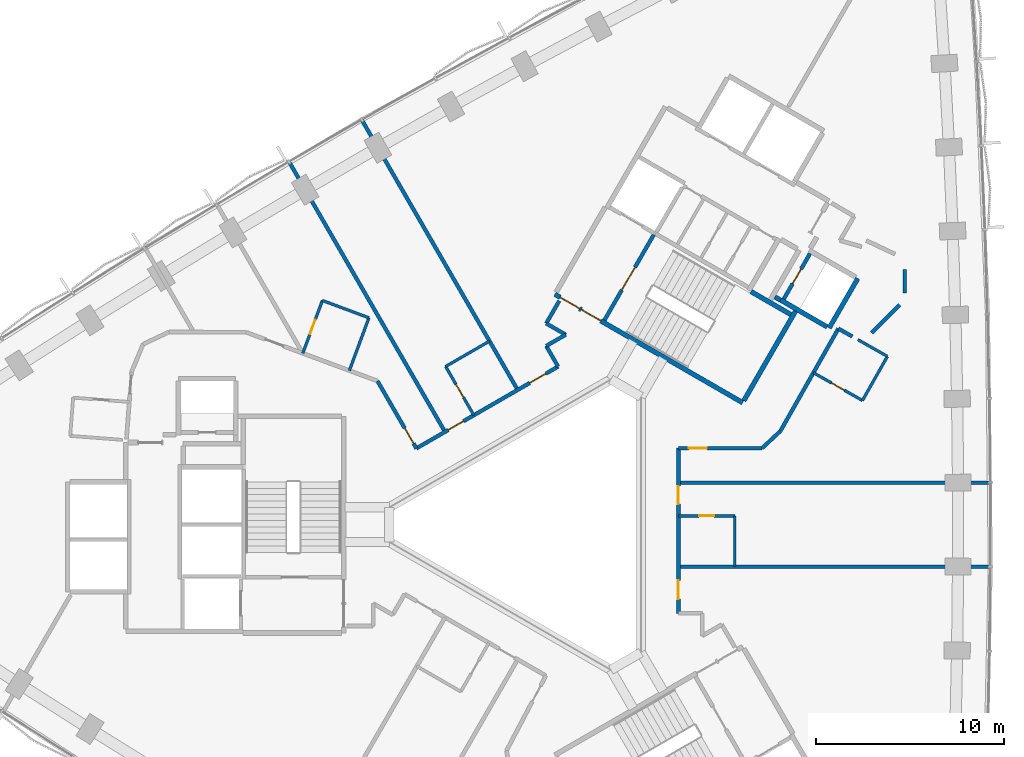
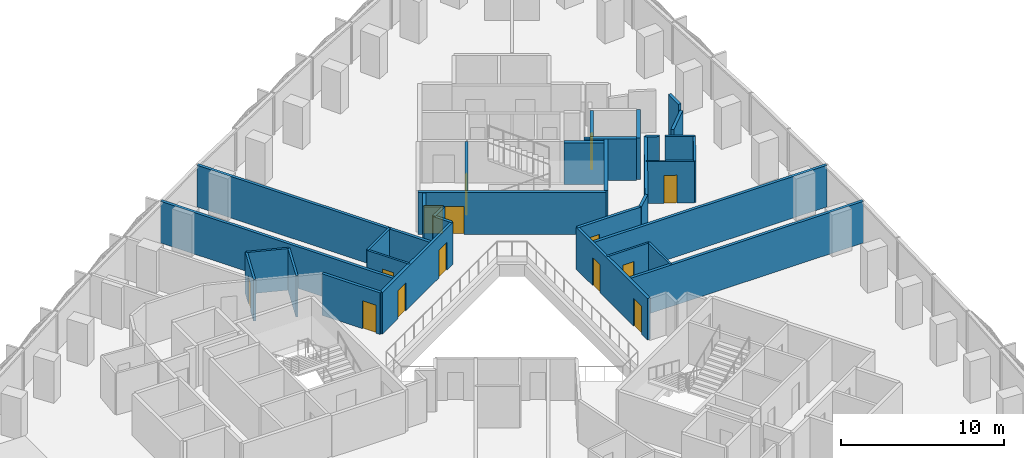
# One storey, part 10 of 15: 35 walls, 14 doors, 14 openings.
"""IFC4 building model written with IfcOpenShell, lengths in metres."""

from ifc_helpers import new_model, si_unit, direction, frame, frame_2d, origin, place, context, subcontext, project, spatial, rectangle, extrude, material, layer, layer_set, type_object, element, fill, save


model = new_model("IFC4")

# Units and contexts
model_context = context("Model", 3, precision=1e-05, world=origin(), true_north=direction((0.0, 1.0)))
body_context = subcontext(model_context, "Body", "Model", "MODEL_VIEW")
ifc_project = project(units=[si_unit("LENGTHUNIT", "METRE"), si_unit("AREAUNIT", "SQUARE_METRE"), si_unit("VOLUMEUNIT", "CUBIC_METRE"), si_unit("PLANEANGLEUNIT", "RADIAN"), si_unit("MASSUNIT", "GRAM", prefix="KILO")], contexts=[model_context])

# Site, building, storey
site_placement = place(None, origin())
site = spatial("IfcSite", under=ifc_project, at=site_placement, CompositionType="ELEMENT")
building_placement = place(site_placement, origin())
building = spatial("IfcBuilding", under=site, at=building_placement, Name="Tamra Quay Hotel Tower", CompositionType="ELEMENT")
storey_placement = place(building_placement, frame((0.0, 0.0, 42.199951171875)))
storey = spatial("IfcBuildingStorey", under=building, at=storey_placement, Name="L08", CompositionType="ELEMENT", Elevation=42.199951171875)

# Wall, opening, door
ifc_material_1 = material(Name="Concrete M70", Category="concrete")
ifc_layer_1 = layer(ifc_material_1, 0.199951171875)
ifc_layer_set_1 = layer_set([ifc_layer_1], Name="Concrete M70 core wall 200")
wall_type_1 = type_object("IfcWallType", Name="Concrete M70 core wall 200", PredefinedType="SHEAR", material=ifc_layer_set_1)
wall_1_placement = place(storey_placement, frame((3.056640625, 10.89453125, 0.0), z_axis=(0.0, 0.0, 1.0), x_axis=(0.499989418164, 0.866031513124, 0.0)))
wall_1 = element("IfcWall", 1, at=wall_1_placement, inside=storey, type_object=wall_type_1, Name="CW2", PredefinedType="SHEAR", context=body_context, shape_type="SweptSolid", body=[
    extrude(rectangle(XDim=5.2509765625, YDim=0.199951171875, at=frame_2d((2.62548828125, 0.0))), origin(), (0.0, 0.0, 1.0), 3.125),
])
opening_1_placement = place(wall_1_placement, frame((1.84912109375, 0.0, 0.0)))
opening_1 = element("IfcOpeningElement", 2, at=opening_1_placement, cuts=wall_1, Name="Opening FD2", PredefinedType="OPENING", context=body_context, shape_type="SweptSolid", body=[
    extrude(rectangle(XDim=1.39990234375, YDim=2.10009765625, at=frame_2d((0.699951171875, 1.050048828125))), frame((0.0, 0.10986328125, 0.0), z_axis=(0.0, -1.0, 0.0), x_axis=(1.0, 0.0, 0.0)), (0.0, 0.0, 1.0), 0.219970703125),
])
ifc_material_2 = material(Name="Core door FD2 1400x2100 LH")
door_type_1 = type_object("IfcDoorType", Name="Core door FD2 1400x2100 LH", OperationType="NOTDEFINED", PredefinedType="DOOR", material=ifc_material_2)
door_1_placement = place(opening_1_placement, origin())
door_1 = element("IfcDoor", 3, at=door_1_placement, inside=storey, type_object=door_type_1, Name="FD2", OperationType="SINGLE_SWING_LEFT", OverallHeight=2.10009765625, OverallWidth=1.39990234375, PredefinedType="DOOR", context=body_context, shape_type="SweptSolid", body=[
    extrude(rectangle(XDim=1.39990234375, YDim=2.10009765625, at=frame_2d((0.699951171875, 1.050048828125))), frame((0.0, 0.02490234375, 0.0), z_axis=(0.0, -1.0, 0.0), x_axis=(1.0, 0.0, 0.0)), (0.0, 0.0, 1.0), 0.050048828125),
])
fill(opening_1, door_1)

wall_2_placement = place(storey_placement, frame((14.0078125, 14.442138671875, 0.0), z_axis=(0.0, 0.0, 1.0), x_axis=(-0.499986818241, -0.866033014143, 0.0)))
wall_2 = element("IfcWall", 4, at=wall_2_placement, inside=storey, type_object=wall_type_1, Name="CW2", PredefinedType="SHEAR", context=body_context, shape_type="SweptSolid", body=[
    extrude(rectangle(XDim=2.7978515625, YDim=0.199951171875, at=frame_2d((1.39892578125, 0.0))), origin(), (0.0, 0.0, 1.0), 3.125),
])
opening_2_placement = place(wall_2_placement, frame((0.948974609375, 0.0, 0.0)))
opening_2 = element("IfcOpeningElement", 5, at=opening_2_placement, cuts=wall_2, Name="Opening D1", PredefinedType="OPENING", context=body_context, shape_type="SweptSolid", body=[
    extrude(rectangle(XDim=0.89990234375, YDim=2.10009765625, at=frame_2d((0.449951171875, 1.050048828125))), frame((0.0, 0.10986328125, 0.0), z_axis=(0.0, -1.0, 0.0), x_axis=(1.0, 0.0, 0.0)), (0.0, 0.0, 1.0), 0.219970703125),
])
ifc_material_3 = material(Name="Core door D1 900x2100 RH")
door_type_2 = type_object("IfcDoorType", Name="Core door D1 900x2100 RH", OperationType="NOTDEFINED", PredefinedType="DOOR", material=ifc_material_3)
door_2_placement = place(opening_2_placement, origin())
door_2 = element("IfcDoor", 6, at=door_2_placement, inside=storey, type_object=door_type_2, Name="D1", OperationType="SINGLE_SWING_RIGHT", OverallHeight=2.10009765625, OverallWidth=0.89990234375, PredefinedType="DOOR", context=body_context, shape_type="SweptSolid", body=[
    extrude(rectangle(XDim=0.89990234375, YDim=2.10009765625, at=frame_2d((0.449951171875, 1.050048828125))), frame((0.0, 0.02490234375, 0.0), z_axis=(0.0, -1.0, 0.0), x_axis=(1.0, 0.0, 0.0)), (0.0, 0.0, 1.0), 0.050048828125),
])
fill(opening_2, door_2)

# Wall, openings, doors
ifc_layer_2 = layer(ifc_material_1, 0.25)
ifc_layer_set_2 = layer_set([ifc_layer_2], Name="Concrete M70 core wall 250")
wall_type_2 = type_object("IfcWallType", Name="Concrete M70 core wall 250", PredefinedType="SHEAR", material=ifc_layer_set_2)
wall_3_placement = place(storey_placement, frame((10.419921875, 6.497802734375, 0.0), z_axis=(0.0, 0.0, 1.0), x_axis=(-0.866021906294, 0.500006057782, 0.0)))
wall_3 = element("IfcWall", 7, at=wall_3_placement, inside=storey, type_object=wall_type_2, Name="CW1", PredefinedType="SHEAR", context=body_context, shape_type="SweptSolid", body=[
    extrude(rectangle(XDim=11.550048828125, YDim=0.25, at=frame_2d((5.77490234375, 0.0))), origin(), (0.0, 0.0, 1.0), 3.125),
])
opening_3_placement = place(wall_3_placement, frame((10.02490234375, 0.0, 0.0)))
opening_3 = element("IfcOpeningElement", 8, at=opening_3_placement, cuts=wall_3, Name="Opening FD1", PredefinedType="OPENING", context=body_context, shape_type="SweptSolid", body=[
    extrude(rectangle(XDim=1.199951171875, YDim=2.10009765625, at=frame_2d((0.60009765625, 1.050048828125))), frame((0.0, 0.135009765625, 0.0), z_axis=(0.0, -1.0, 0.0), x_axis=(1.0, 0.0, 0.0)), (0.0, 0.0, 1.0), 0.27001953125),
])
opening_4_placement = place(wall_3_placement, frame((8.724853515625, 0.0, 0.0)))
opening_4 = element("IfcOpeningElement", 9, at=opening_4_placement, cuts=wall_3, Name="Opening FD1", PredefinedType="OPENING", context=body_context, shape_type="SweptSolid", body=[
    extrude(rectangle(XDim=1.199951171875, YDim=2.10009765625, at=frame_2d((0.60009765625, 1.050048828125))), frame((0.0, 0.135009765625, 0.0), z_axis=(0.0, -1.0, 0.0), x_axis=(1.0, 0.0, 0.0)), (0.0, 0.0, 1.0), 0.27001953125),
])
ifc_material_4 = material(Name="Core door FD1 1200x2100 LH")
door_type_3 = type_object("IfcDoorType", Name="Core door FD1 1200x2100 LH", OperationType="NOTDEFINED", PredefinedType="DOOR", material=ifc_material_4)
door_3_placement = place(opening_3_placement, origin())
door_3 = element("IfcDoor", 10, at=door_3_placement, inside=storey, type_object=door_type_3, Name="FD1", OperationType="SINGLE_SWING_LEFT", OverallHeight=2.10009765625, OverallWidth=1.199951171875, PredefinedType="DOOR", context=body_context, shape_type="SweptSolid", body=[
    extrude(rectangle(XDim=1.199951171875, YDim=2.10009765625, at=frame_2d((0.60009765625, 1.050048828125))), frame((0.0, 0.02490234375, 0.0), z_axis=(0.0, -1.0, 0.0), x_axis=(1.0, 0.0, 0.0)), (0.0, 0.0, 1.0), 0.050048828125),
])
fill(opening_3, door_3)
ifc_material_5 = material(Name="Core door FD1 1200x2100 RH")
door_type_4 = type_object("IfcDoorType", Name="Core door FD1 1200x2100 RH", OperationType="NOTDEFINED", PredefinedType="DOOR", material=ifc_material_5)
door_4_placement = place(opening_4_placement, origin())
door_4 = element("IfcDoor", 11, at=door_4_placement, inside=storey, type_object=door_type_4, Name="FD1", OperationType="SINGLE_SWING_RIGHT", OverallHeight=2.10009765625, OverallWidth=1.199951171875, PredefinedType="DOOR", context=body_context, shape_type="SweptSolid", body=[
    extrude(rectangle(XDim=1.199951171875, YDim=2.10009765625, at=frame_2d((0.60009765625, 1.050048828125))), frame((0.0, 0.02490234375, 0.0), z_axis=(0.0, -1.0, 0.0), x_axis=(1.0, 0.0, 0.0)), (0.0, 0.0, 1.0), 0.050048828125),
])
fill(opening_4, door_4)

# Walls
wall_4_placement = place(storey_placement, frame((13.237548828125, 11.3779296875, 0.0), z_axis=(0.0, 0.0, 1.0), x_axis=(-0.500008851346, -0.866020293397, 0.0)))
element("IfcWall", 12, at=wall_4_placement, inside=storey, type_object=wall_type_2, Name="CW1", PredefinedType="SHEAR", context=body_context, shape_type="SweptSolid", body=[
    extrude(rectangle(XDim=5.509765625, YDim=0.25, at=frame_2d((2.7548828125, 0.0))), origin(), (0.0, 0.0, 1.0), 3.125),
])
wall_5_placement = place(storey_placement, frame((16.552001953125, 13.118896484375, 0.0), z_axis=(0.0, 0.0, 1.0), x_axis=(-0.499978833458, -0.866037623948, 0.0)))
element("IfcWall", 13, at=wall_5_placement, inside=storey, type_object=wall_type_2, Name="CW1", PredefinedType="SHEAR", context=body_context, shape_type="SweptSolid", body=[
    extrude(rectangle(XDim=3.050048828125, YDim=0.25, at=frame_2d((1.52490234375, 0.0))), origin(), (0.0, 0.0, 1.0), 3.125),
])
wall_6_placement = place(storey_placement, frame((14.91845703125, 10.540283203125, 0.0), z_axis=(0.0, 0.0, 1.0), x_axis=(-0.866063538972, 0.499933942099, 0.0)))
element("IfcWall", 14, at=wall_6_placement, inside=storey, type_object=wall_type_2, Name="CW1", PredefinedType="SHEAR", context=body_context, shape_type="SweptSolid", body=[
    extrude(rectangle(XDim=2.86474609375, YDim=0.25, at=frame_2d((1.432373046875, 0.0))), origin(), (0.0, 0.0, 1.0), 3.125),
])
wall_7_placement = place(storey_placement, frame((10.865234375, 12.41845703125, 0.0), z_axis=(0.0, 0.0, 1.0), x_axis=(0.866026229868, -0.499998569178, 0.0)))
element("IfcWall", 15, at=wall_7_placement, inside=storey, type_object=wall_type_2, Name="CW1", PredefinedType="SHEAR", context=body_context, shape_type="SweptSolid", body=[
    extrude(rectangle(XDim=2.44921875, YDim=0.25, at=frame_2d((1.224609375, 0.0))), origin(), (0.0, 0.0, 1.0), 3.125),
])
wall_8_placement = place(storey_placement, frame((12.4326171875, 11.9638671875, 0.0), z_axis=(0.0, 0.0, 1.0), x_axis=(-0.866055875208, 0.499947218231, 0.0)))
element("IfcWall", 16, at=wall_8_placement, inside=storey, type_object=wall_type_2, Name="CW1", PredefinedType="SHEAR", context=body_context, shape_type="SweptSolid", body=[
    extrude(rectangle(XDim=0.3447265625, YDim=0.25, at=frame_2d((0.17236328125, 0.0))), origin(), (0.0, 0.0, 1.0), 3.125),
])

# Wall, opening, door
ifc_material_6 = material(Name="Partition corridor wall")
ifc_layer_3 = layer(ifc_material_6, 0.199951171875)
ifc_layer_set_3 = layer_set([ifc_layer_3], Name="Partition corridor wall")
wall_type_3 = type_object("IfcWallType", Name="Partition corridor wall", PredefinedType="PARTITIONING", material=ifc_layer_set_3)
wall_9_placement = place(storey_placement, frame((-9.032958984375, 7.652099609375, 0.0), z_axis=(0.0, 0.0, 1.0), x_axis=(0.500074377092, -0.865982457891, 0.0)))
wall_9 = element("IfcWall", 17, at=wall_9_placement, inside=storey, type_object=wall_type_3, Name="W-C", PredefinedType="PARTITIONING", context=body_context, shape_type="SweptSolid", body=[
    extrude(rectangle(XDim=4.143310546875, YDim=0.199951171875, at=frame_2d((2.07177734375, 0.0))), origin(), (0.0, 0.0, 1.0), 3.125),
])
opening_5_placement = place(wall_9_placement, frame((2.895263671875, 0.0, 0.0)))
opening_5 = element("IfcOpeningElement", 18, at=opening_5_placement, cuts=wall_9, Name="Opening L08-D009", PredefinedType="OPENING", context=body_context, shape_type="SweptSolid", body=[
    extrude(rectangle(XDim=0.949951171875, YDim=2.10009765625, at=frame_2d((0.47509765625, 1.050048828125))), frame((0.0, 0.10986328125, 0.0), z_axis=(0.0, -1.0, 0.0), x_axis=(1.0, 0.0, 0.0)), (0.0, 0.0, 1.0), 0.219970703125),
])
ifc_material_7 = material(Name="Door guest room 950x2100")
door_type_5 = type_object("IfcDoorType", Name="Door guest room 950x2100", OperationType="NOTDEFINED", PredefinedType="DOOR", material=ifc_material_7)
door_5_placement = place(opening_5_placement, frame((0.949951171875, 0.0, 0.0), z_axis=(0.0, 0.0, 1.0), x_axis=(-1.0, 0.0, 0.0)))
door_5 = element("IfcDoor", 19, at=door_5_placement, inside=storey, type_object=door_type_5, Name="L08-D009", OperationType="SINGLE_SWING_LEFT", OverallHeight=2.10009765625, OverallWidth=0.949951171875, PredefinedType="DOOR", context=body_context, shape_type="SweptSolid", body=[
    extrude(rectangle(XDim=0.949951171875, YDim=2.10009765625, at=frame_2d((0.47509765625, 1.050048828125))), frame((0.0, 0.02490234375, 0.0), z_axis=(0.0, -1.0, 0.0), x_axis=(1.0, 0.0, 0.0)), (0.0, 0.0, 1.0), 0.050048828125),
])
fill(opening_5, door_5)

# Wall, openings, doors
wall_10_placement = place(storey_placement, frame((-6.961669921875, 4.06494140625, 0.0), z_axis=(0.0, 0.0, 1.0), x_axis=(0.866089531713, 0.499888910716, 0.0)))
wall_10 = element("IfcWall", 20, at=wall_10_placement, inside=storey, type_object=wall_type_3, Name="W-C", PredefinedType="PARTITIONING", context=body_context, shape_type="SweptSolid", body=[
    extrude(rectangle(XDim=8.71826171875, YDim=0.199951171875, at=frame_2d((4.359130859375, 0.0))), origin(), (0.0, 0.0, 1.0), 3.125),
])
opening_6_placement = place(wall_10_placement, frame((6.96875, 0.0, 0.0)))
opening_6 = element("IfcOpeningElement", 21, at=opening_6_placement, cuts=wall_10, Name="Opening L08-D006", PredefinedType="OPENING", context=body_context, shape_type="SweptSolid", body=[
    extrude(rectangle(XDim=1.0, YDim=2.10009765625, at=frame_2d((0.5, 1.050048828125))), frame((0.0, 0.10986328125, 0.0), z_axis=(0.0, -1.0, 0.0), x_axis=(1.0, 0.0, 0.0)), (0.0, 0.0, 1.0), 0.219970703125),
])
opening_7_placement = place(wall_10_placement, frame((1.949462890625, 0.0, 0.0)))
opening_7 = element("IfcOpeningElement", 22, at=opening_7_placement, cuts=wall_10, Name="Opening L08-D007", PredefinedType="OPENING", context=body_context, shape_type="SweptSolid", body=[
    extrude(rectangle(XDim=0.949951171875, YDim=2.10009765625, at=frame_2d((0.47509765625, 1.050048828125))), frame((0.0, 0.10986328125, 0.0), z_axis=(0.0, -1.0, 0.0), x_axis=(1.0, 0.0, 0.0)), (0.0, 0.0, 1.0), 0.219970703125),
])
ifc_material_8 = material(Name="Door guest room 1000x2100")
door_type_6 = type_object("IfcDoorType", Name="Door guest room 1000x2100", OperationType="NOTDEFINED", PredefinedType="DOOR", material=ifc_material_8)
door_6_placement = place(opening_6_placement, origin())
door_6 = element("IfcDoor", 23, at=door_6_placement, inside=storey, type_object=door_type_6, Name="L08-D006", OperationType="SINGLE_SWING_LEFT", OverallHeight=2.10009765625, OverallWidth=1.0, PredefinedType="DOOR", context=body_context, shape_type="SweptSolid", body=[
    extrude(rectangle(XDim=1.0, YDim=2.10009765625, at=frame_2d((0.5, 1.050048828125))), frame((0.0, 0.02490234375, 0.0), z_axis=(0.0, -1.0, 0.0), x_axis=(1.0, 0.0, 0.0)), (0.0, 0.0, 1.0), 0.050048828125),
])
fill(opening_6, door_6)
door_7_placement = place(opening_7_placement, origin())
door_7 = element("IfcDoor", 24, at=door_7_placement, inside=storey, type_object=door_type_5, Name="L08-D007", OperationType="SINGLE_SWING_LEFT", OverallHeight=2.10009765625, OverallWidth=0.949951171875, PredefinedType="DOOR", context=body_context, shape_type="SweptSolid", body=[
    extrude(rectangle(XDim=0.949951171875, YDim=2.10009765625, at=frame_2d((0.47509765625, 1.050048828125))), frame((0.0, 0.02490234375, 0.0), z_axis=(0.0, -1.0, 0.0), x_axis=(1.0, 0.0, 0.0)), (0.0, 0.0, 1.0), 0.050048828125),
])
fill(opening_7, door_7)

# Walls
wall_11_placement = place(storey_placement, frame((-0.044921875, 9.52197265625, 0.0), z_axis=(0.0, 0.0, 1.0), x_axis=(0.86625675314, 0.499599076899, 0.0)))
element("IfcWall", 25, at=wall_11_placement, inside=storey, type_object=wall_type_3, Name="W-C", PredefinedType="PARTITIONING", context=body_context, shape_type="SweptSolid", body=[
    extrude(rectangle(XDim=1.19921875, YDim=0.199951171875, at=frame_2d((0.599609375, 0.0))), origin(), (0.0, 0.0, 1.0), 3.125),
])
wall_12_placement = place(storey_placement, frame((-0.044921875, 10.721923828125, 0.0), z_axis=(0.0, 0.0, 1.0), x_axis=(0.500107785535, 0.865963164833, 0.0)))
element("IfcWall", 26, at=wall_12_placement, inside=storey, type_object=wall_type_3, Name="W-C", PredefinedType="PARTITIONING", context=body_context, shape_type="SweptSolid", body=[
    extrude(rectangle(XDim=1.389404296875, YDim=0.199951171875, at=frame_2d((0.69482421875, 0.0))), origin(), (0.0, 0.0, 1.0), 3.125),
])
wall_13_placement = place(storey_placement, frame((-0.044921875, 9.52099609375, 0.0), z_axis=(0.0, 0.0, 1.0), x_axis=(0.500094716449, -0.865970712311, 0.0)))
element("IfcWall", 27, at=wall_13_placement, inside=storey, type_object=wall_type_3, Name="W-C", PredefinedType="PARTITIONING", context=body_context, shape_type="SweptSolid", body=[
    extrude(rectangle(XDim=1.267822265625, YDim=0.199951171875, at=frame_2d((0.6337890625, 0.0))), origin(), (0.0, 0.0, 1.0), 3.125),
])
wall_14_placement = place(storey_placement, frame((-0.044921875, 10.720947265625, 0.0), z_axis=(0.0, 0.0, 1.0), x_axis=(0.865992388649, -0.500057179532, 0.0)))
element("IfcWall", 28, at=wall_14_placement, inside=storey, type_object=wall_type_3, Name="W-C", PredefinedType="PARTITIONING", context=body_context, shape_type="SweptSolid", body=[
    extrude(rectangle(XDim=1.199462890625, YDim=0.199951171875, at=frame_2d((0.599609375, 0.0))), origin(), (0.0, 0.0, 1.0), 3.125),
])

# Wall, openings, doors
wall_15_placement = place(storey_placement, frame((7.0, -4.720947265625, 0.0), z_axis=(0.0, 0.0, 1.0), x_axis=(0.0, 1.0, 0.0)))
wall_15 = element("IfcWall", 29, at=wall_15_placement, inside=storey, type_object=wall_type_3, Name="W-C", PredefinedType="PARTITIONING", context=body_context, shape_type="SweptSolid", body=[
    extrude(rectangle(XDim=8.798828125, YDim=0.199951171875, at=frame_2d((4.3994140625, 0.0))), origin(), (0.0, 0.0, 1.0), 3.125),
])
opening_8_placement = place(wall_15_placement, frame((0.7490234375, 0.0, 0.0)))
opening_8 = element("IfcOpeningElement", 30, at=opening_8_placement, cuts=wall_15, Name="Opening L08-D001", PredefinedType="OPENING", context=body_context, shape_type="SweptSolid", body=[
    extrude(rectangle(XDim=1.0, YDim=2.10009765625, at=frame_2d((0.5, 1.050048828125))), frame((0.0, 0.10986328125, 0.0), z_axis=(0.0, -1.0, 0.0), x_axis=(1.0, 0.0, 0.0)), (0.0, 0.0, 1.0), 0.219970703125),
])
opening_9_placement = place(wall_15_placement, frame((5.818115234375, 0.0, 0.0)))
opening_9 = element("IfcOpeningElement", 31, at=opening_9_placement, cuts=wall_15, Name="Opening L08-D002", PredefinedType="OPENING", context=body_context, shape_type="SweptSolid", body=[
    extrude(rectangle(XDim=0.949951171875, YDim=2.10009765625, at=frame_2d((0.47509765625, 1.050048828125))), frame((0.0, 0.10986328125, 0.0), z_axis=(0.0, -1.0, 0.0), x_axis=(1.0, 0.0, 0.0)), (0.0, 0.0, 1.0), 0.219970703125),
])
door_8_placement = place(opening_8_placement, frame((1.0, 0.0, 0.0), z_axis=(0.0, 0.0, 1.0), x_axis=(-1.0, 0.0, 0.0)))
door_8 = element("IfcDoor", 32, at=door_8_placement, inside=storey, type_object=door_type_6, Name="L08-D001", OperationType="SINGLE_SWING_LEFT", OverallHeight=2.10009765625, OverallWidth=1.0, PredefinedType="DOOR", context=body_context, shape_type="SweptSolid", body=[
    extrude(rectangle(XDim=1.0, YDim=2.10009765625, at=frame_2d((0.5, 1.050048828125))), frame((0.0, 0.02490234375, 0.0), z_axis=(0.0, -1.0, 0.0), x_axis=(1.0, 0.0, 0.0)), (0.0, 0.0, 1.0), 0.050048828125),
])
fill(opening_8, door_8)
door_9_placement = place(opening_9_placement, frame((0.949951171875, 0.0, 0.0), z_axis=(0.0, 0.0, 1.0), x_axis=(-1.0, 0.0, 0.0)))
door_9 = element("IfcDoor", 33, at=door_9_placement, inside=storey, type_object=door_type_5, Name="L08-D002", OperationType="SINGLE_SWING_LEFT", OverallHeight=2.10009765625, OverallWidth=0.949951171875, PredefinedType="DOOR", context=body_context, shape_type="SweptSolid", body=[
    extrude(rectangle(XDim=0.949951171875, YDim=2.10009765625, at=frame_2d((0.47509765625, 1.050048828125))), frame((0.0, 0.02490234375, 0.0), z_axis=(0.0, -1.0, 0.0), x_axis=(1.0, 0.0, 0.0)), (0.0, 0.0, 1.0), 0.050048828125),
])
fill(opening_9, door_9)

# Wall, opening, door
wall_16_placement = place(storey_placement, frame((7.0, 4.077880859375, 0.0), z_axis=(0.0, 0.0, 1.0), x_axis=(1.0, 0.0, 0.0)))
wall_16 = element("IfcWall", 34, at=wall_16_placement, inside=storey, type_object=wall_type_3, Name="W-C", PredefinedType="PARTITIONING", context=body_context, shape_type="SweptSolid", body=[
    extrude(rectangle(XDim=4.4580078125, YDim=0.199951171875, at=frame_2d((2.22900390625, 0.0))), origin(), (0.0, 0.0, 1.0), 3.125),
])
opening_10_placement = place(wall_16_placement, frame((0.55810546875, 0.0, 0.0)))
opening_10 = element("IfcOpeningElement", 35, at=opening_10_placement, cuts=wall_16, Name="Opening L08-D004", PredefinedType="OPENING", context=body_context, shape_type="SweptSolid", body=[
    extrude(rectangle(XDim=0.949951171875, YDim=2.10009765625, at=frame_2d((0.47509765625, 1.050048828125))), frame((0.0, 0.10986328125, 0.0), z_axis=(0.0, -1.0, 0.0), x_axis=(1.0, 0.0, 0.0)), (0.0, 0.0, 1.0), 0.219970703125),
])
door_10_placement = place(opening_10_placement, origin())
door_10 = element("IfcDoor", 36, at=door_10_placement, inside=storey, type_object=door_type_5, Name="L08-D004", OperationType="SINGLE_SWING_LEFT", OverallHeight=2.10009765625, OverallWidth=0.949951171875, PredefinedType="DOOR", context=body_context, shape_type="SweptSolid", body=[
    extrude(rectangle(XDim=0.949951171875, YDim=2.10009765625, at=frame_2d((0.47509765625, 1.050048828125))), frame((0.0, 0.02490234375, 0.0), z_axis=(0.0, -1.0, 0.0), x_axis=(1.0, 0.0, 0.0)), (0.0, 0.0, 1.0), 0.050048828125),
])
fill(opening_10, door_10)

# Walls
wall_17_placement = place(storey_placement, frame((11.4580078125, 4.077880859375, 0.0), z_axis=(0.0, 0.0, 1.0), x_axis=(0.729936032318, 0.683515463412, 0.0)))
element("IfcWall", 37, at=wall_17_placement, inside=storey, type_object=wall_type_3, Name="W-C", PredefinedType="PARTITIONING", context=body_context, shape_type="SweptSolid", body=[
    extrude(rectangle(XDim=1.3359375, YDim=0.199951171875, at=frame_2d((0.66796875, 0.0))), origin(), (0.0, 0.0, 1.0), 3.125),
])
wall_18_placement = place(storey_placement, frame((12.43310546875, 4.991943359375, 0.0), z_axis=(0.0, 0.0, 1.0), x_axis=(0.492575945335, 0.870269462912, 0.0)))
element("IfcWall", 38, at=wall_18_placement, inside=storey, type_object=wall_type_3, Name="W-C", PredefinedType="PARTITIONING", context=body_context, shape_type="SweptSolid", body=[
    extrude(rectangle(XDim=6.264892578125, YDim=0.199951171875, at=frame_2d((3.13232421875, 0.0))), origin(), (0.0, 0.0, 1.0), 3.125),
])
wall_19_placement = place(storey_placement, frame((15.51904296875, 10.444091796875, 0.0), z_axis=(0.0, 0.0, 1.0), x_axis=(0.870222202109, -0.492659435063, 0.0)))
element("IfcWall", 39, at=wall_19_placement, inside=storey, type_object=wall_type_3, Name="W-C", PredefinedType="PARTITIONING", context=body_context, shape_type="SweptSolid", body=[
    extrude(rectangle(XDim=0.854736328125, YDim=0.199951171875, at=frame_2d((0.42724609375, 0.0))), origin(), (0.0, 0.0, 1.0), 3.125),
])
wall_20_placement = place(storey_placement, frame((17.287109375, 10.212890625, 0.0), z_axis=(0.0, 0.0, 1.0), x_axis=(0.706819117262, 0.707394328132, 0.0)))
element("IfcWall", 40, at=wall_20_placement, inside=storey, type_object=wall_type_3, Name="W-C", PredefinedType="PARTITIONING", context=body_context, shape_type="SweptSolid", body=[
    extrude(rectangle(XDim=2.1220703125, YDim=0.199951171875, at=frame_2d((1.06103515625, 0.0))), origin(), (0.0, 0.0, 1.0), 3.125),
])
wall_21_placement = place(storey_placement, frame((19.050048828125, 12.34912109375, 0.0), z_axis=(0.0, 0.0, 1.0), x_axis=(0.0, 1.0, 0.0)))
element("IfcWall", 41, at=wall_21_placement, inside=storey, type_object=wall_type_3, Name="W-C", PredefinedType="PARTITIONING", context=body_context, shape_type="SweptSolid", body=[
    extrude(rectangle(XDim=1.25, YDim=0.199951171875, at=frame_2d((0.625, 0.0))), origin(), (0.0, 0.0, 1.0), 3.125),
])

# Wall, opening, door
ifc_material_9 = material(Name="Partition en-suite wall")
ifc_layer_4 = layer(ifc_material_9, 0.14990234375)
ifc_layer_set_4 = layer_set([ifc_layer_4], Name="Partition en-suite wall")
wall_type_4 = type_object("IfcWallType", Name="Partition en-suite wall", PredefinedType="PARTITIONING", material=ifc_layer_set_4)
wall_22_placement = place(storey_placement, frame((-13.012939453125, 9.12890625, 0.0), z_axis=(0.0, 0.0, 1.0), x_axis=(0.347929104424, 0.937520846859, 0.0)))
wall_22 = element("IfcWall", 42, at=wall_22_placement, inside=storey, type_object=wall_type_4, Name="W-E", PredefinedType="PARTITIONING", context=body_context, shape_type="SweptSolid", body=[
    extrude(rectangle(XDim=3.00048828125, YDim=0.14990234375, at=frame_2d((1.500244140625, 0.0))), origin(), (0.0, 0.0, 1.0), 3.125),
])
opening_11_placement = place(wall_22_placement, frame((1.10009765625, 0.0, 0.0)))
opening_11 = element("IfcOpeningElement", 43, at=opening_11_placement, cuts=wall_22, Name="Opening L08-D010", PredefinedType="OPENING", context=body_context, shape_type="SweptSolid", body=[
    extrude(rectangle(XDim=0.800048828125, YDim=2.10009765625, at=frame_2d((0.39990234375, 1.050048828125))), frame((0.0, 0.0849609375, 0.0), z_axis=(0.0, -1.0, 0.0), x_axis=(1.0, 0.0, 0.0)), (0.0, 0.0, 1.0), 0.169921875),
])
ifc_material_10 = material(Name="Door en-suite 800x2100")
door_type_7 = type_object("IfcDoorType", Name="Door en-suite 800x2100", OperationType="NOTDEFINED", PredefinedType="DOOR", material=ifc_material_10)
door_11_placement = place(opening_11_placement, origin())
door_11 = element("IfcDoor", 44, at=door_11_placement, inside=storey, type_object=door_type_7, Name="L08-D010", OperationType="SINGLE_SWING_LEFT", OverallHeight=2.10009765625, OverallWidth=0.800048828125, PredefinedType="DOOR", context=body_context, shape_type="SweptSolid", body=[
    extrude(rectangle(XDim=0.800048828125, YDim=2.10009765625, at=frame_2d((0.39990234375, 1.050048828125))), frame((0.0, 0.02490234375, 0.0), z_axis=(0.0, -1.0, 0.0), x_axis=(1.0, 0.0, 0.0)), (0.0, 0.0, 1.0), 0.050048828125),
])
fill(opening_11, door_11)

# Walls
wall_23_placement = place(storey_placement, frame((-11.968994140625, 11.94189453125, 0.0), z_axis=(0.0, 0.0, 1.0), x_axis=(0.93745453053, -0.348107746521, 0.0)))
element("IfcWall", 45, at=wall_23_placement, inside=storey, type_object=wall_type_4, Name="W-E", PredefinedType="PARTITIONING", context=body_context, shape_type="SweptSolid", body=[
    extrude(rectangle(XDim=2.6455078125, YDim=0.14990234375, at=frame_2d((1.32275390625, 0.0))), origin(), (0.0, 0.0, 1.0), 3.125),
])
wall_24_placement = place(storey_placement, frame((-10.532958984375, 8.208984375, 0.0), z_axis=(0.0, 0.0, 1.0), x_axis=(0.348035300423, 0.937481428968, 0.0)))
element("IfcWall", 46, at=wall_24_placement, inside=storey, type_object=wall_type_4, Name="W-E", PredefinedType="PARTITIONING", context=body_context, shape_type="SweptSolid", body=[
    extrude(rectangle(XDim=2.99951171875, YDim=0.14990234375, at=frame_2d((1.499755859375, 0.0))), origin(), (0.0, 0.0, 1.0), 3.125),
])
wall_25_placement = place(storey_placement, frame((-5.402099609375, 8.427978515625, 0.0), z_axis=(0.0, 0.0, 1.0), x_axis=(0.86599734893, 0.500048589285, 0.0)))
element("IfcWall", 47, at=wall_25_placement, inside=storey, type_object=wall_type_4, Name="W-E", PredefinedType="PARTITIONING", context=body_context, shape_type="SweptSolid", body=[
    extrude(rectangle(XDim=2.699951171875, YDim=0.14990234375, at=frame_2d((1.35009765625, 0.0))), origin(), (0.0, 0.0, 1.0), 3.125),
])

# Wall, opening, door
wall_26_placement = place(storey_placement, frame((-5.402099609375, 8.427978515625, 0.0), z_axis=(0.0, 0.0, 1.0), x_axis=(0.50002537861, -0.866010750942, 0.0)))
wall_26 = element("IfcWall", 48, at=wall_26_placement, inside=storey, type_object=wall_type_4, Name="W-E", PredefinedType="PARTITIONING", context=body_context, shape_type="SweptSolid", body=[
    extrude(rectangle(XDim=2.999755859375, YDim=0.14990234375, at=frame_2d((1.5, 0.0))), origin(), (0.0, 0.0, 1.0), 3.125),
])
opening_12_placement = place(wall_26_placement, frame((1.099609375, 0.0, 0.0)))
opening_12 = element("IfcOpeningElement", 49, at=opening_12_placement, cuts=wall_26, Name="Opening L08-D008", PredefinedType="OPENING", context=body_context, shape_type="SweptSolid", body=[
    extrude(rectangle(XDim=0.800048828125, YDim=2.10009765625, at=frame_2d((0.39990234375, 1.050048828125))), frame((0.0, 0.0849609375, 0.0), z_axis=(0.0, -1.0, 0.0), x_axis=(1.0, 0.0, 0.0)), (0.0, 0.0, 1.0), 0.169921875),
])
door_12_placement = place(opening_12_placement, origin())
door_12 = element("IfcDoor", 50, at=door_12_placement, inside=storey, type_object=door_type_7, Name="L08-D008", OperationType="SINGLE_SWING_LEFT", OverallHeight=2.10009765625, OverallWidth=0.800048828125, PredefinedType="DOOR", context=body_context, shape_type="SweptSolid", body=[
    extrude(rectangle(XDim=0.800048828125, YDim=2.10009765625, at=frame_2d((0.39990234375, 1.050048828125))), frame((0.0, 0.02490234375, 0.0), z_axis=(0.0, -1.0, 0.0), x_axis=(1.0, 0.0, 0.0)), (0.0, 0.0, 1.0), 0.050048828125),
])
fill(opening_12, door_12)

wall_27_placement = place(storey_placement, frame((7.0, 0.465087890625, 0.0), z_axis=(0.0, 0.0, 1.0), x_axis=(1.0, 0.0, 0.0)))
wall_27 = element("IfcWall", 51, at=wall_27_placement, inside=storey, type_object=wall_type_4, Name="W-E", PredefinedType="PARTITIONING", context=body_context, shape_type="SweptSolid", body=[
    extrude(rectangle(XDim=3.0, YDim=0.14990234375, at=frame_2d((1.5, 0.0))), origin(), (0.0, 0.0, 1.0), 3.125),
])
opening_13_placement = place(wall_27_placement, frame((1.10009765625, 0.0, 0.0)))
opening_13 = element("IfcOpeningElement", 52, at=opening_13_placement, cuts=wall_27, Name="Opening L08-D003", PredefinedType="OPENING", context=body_context, shape_type="SweptSolid", body=[
    extrude(rectangle(XDim=0.800048828125, YDim=2.10009765625, at=frame_2d((0.39990234375, 1.050048828125))), frame((0.0, 0.0849609375, 0.0), z_axis=(0.0, -1.0, 0.0), x_axis=(1.0, 0.0, 0.0)), (0.0, 0.0, 1.0), 0.169921875),
])
door_13_placement = place(opening_13_placement, frame((0.800048828125, 0.0, 0.0), z_axis=(0.0, 0.0, 1.0), x_axis=(-1.0, 0.0, 0.0)))
door_13 = element("IfcDoor", 53, at=door_13_placement, inside=storey, type_object=door_type_7, Name="L08-D003", OperationType="SINGLE_SWING_LEFT", OverallHeight=2.10009765625, OverallWidth=0.800048828125, PredefinedType="DOOR", context=body_context, shape_type="SweptSolid", body=[
    extrude(rectangle(XDim=0.800048828125, YDim=2.10009765625, at=frame_2d((0.39990234375, 1.050048828125))), frame((0.0, 0.02490234375, 0.0), z_axis=(0.0, -1.0, 0.0), x_axis=(1.0, 0.0, 0.0)), (0.0, 0.0, 1.0), 0.050048828125),
])
fill(opening_13, door_13)

# Wall
wall_28_placement = place(storey_placement, frame((10.0, -2.235107421875, 0.0), z_axis=(0.0, 0.0, 1.0), x_axis=(0.0, 1.0, 0.0)))
element("IfcWall", 54, at=wall_28_placement, inside=storey, type_object=wall_type_4, Name="W-E", PredefinedType="PARTITIONING", context=body_context, shape_type="SweptSolid", body=[
    extrude(rectangle(XDim=2.7001953125, YDim=0.14990234375, at=frame_2d((1.35009765625, 0.0))), origin(), (0.0, 0.0, 1.0), 3.125),
])

# Wall, opening, door
wall_29_placement = place(storey_placement, frame((14.18994140625, 8.093994140625, 0.0), z_axis=(0.0, 0.0, 1.0), x_axis=(0.870230508541, -0.492644762485, 0.0)))
wall_29 = element("IfcWall", 55, at=wall_29_placement, inside=storey, type_object=wall_type_4, Name="W-E", PredefinedType="PARTITIONING", context=body_context, shape_type="SweptSolid", body=[
    extrude(rectangle(XDim=2.998291015625, YDim=0.14990234375, at=frame_2d((1.4990234375, 0.0))), origin(), (0.0, 0.0, 1.0), 3.125),
])
opening_14_placement = place(wall_29_placement, frame((1.099609375, 0.0, 0.0)))
opening_14 = element("IfcOpeningElement", 56, at=opening_14_placement, cuts=wall_29, Name="Opening L08-D005", PredefinedType="OPENING", context=body_context, shape_type="SweptSolid", body=[
    extrude(rectangle(XDim=0.800048828125, YDim=2.10009765625, at=frame_2d((0.39990234375, 1.050048828125))), frame((0.0, 0.0849609375, 0.0), z_axis=(0.0, -1.0, 0.0), x_axis=(1.0, 0.0, 0.0)), (0.0, 0.0, 1.0), 0.169921875),
])
door_14_placement = place(opening_14_placement, origin())
door_14 = element("IfcDoor", 57, at=door_14_placement, inside=storey, type_object=door_type_7, Name="L08-D005", OperationType="SINGLE_SWING_LEFT", OverallHeight=2.10009765625, OverallWidth=0.800048828125, PredefinedType="DOOR", context=body_context, shape_type="SweptSolid", body=[
    extrude(rectangle(XDim=0.800048828125, YDim=2.10009765625, at=frame_2d((0.39990234375, 1.050048828125))), frame((0.0, 0.02490234375, 0.0), z_axis=(0.0, -1.0, 0.0), x_axis=(1.0, 0.0, 0.0)), (0.0, 0.0, 1.0), 0.050048828125),
])
fill(opening_14, door_14)

# Walls
wall_30_placement = place(storey_placement, frame((16.560546875, 9.854736328125, 0.0), z_axis=(0.0, 0.0, 1.0), x_axis=(0.870471857485, -0.49221818874, 0.0)))
element("IfcWall", 58, at=wall_30_placement, inside=storey, type_object=wall_type_4, Name="W-E", PredefinedType="PARTITIONING", context=body_context, shape_type="SweptSolid", body=[
    extrude(rectangle(XDim=1.799560546875, YDim=0.14990234375, at=frame_2d((0.89990234375, 0.0))), origin(), (0.0, 0.0, 1.0), 3.125),
])
wall_31_placement = place(storey_placement, frame((16.803955078125, 6.6201171875, 0.0), z_axis=(0.0, 0.0, 1.0), x_axis=(0.49235595286, 0.870393942812, 0.0)))
element("IfcWall", 59, at=wall_31_placement, inside=storey, type_object=wall_type_4, Name="W-E", PredefinedType="PARTITIONING", context=body_context, shape_type="SweptSolid", body=[
    extrude(rectangle(XDim=2.693115234375, YDim=0.14990234375, at=frame_2d((1.3466796875, 0.0))), origin(), (0.0, 0.0, 1.0), 3.125),
])
ifc_material_11 = material(Name="Partition party wall")
ifc_layer_5 = layer(ifc_material_11, 0.199951171875)
ifc_layer_set_5 = layer_set([ifc_layer_5], Name="Partition party wall")
wall_type_5 = type_object("IfcWallType", Name="Partition party wall", PredefinedType="PARTITIONING", material=ifc_layer_set_5)
wall_32_placement = place(storey_placement, frame((-13.74267578125, 19.33203125, 0.0), z_axis=(0.0, 0.0, 1.0), x_axis=(0.500014614896, -0.866016965706, 0.0)))
element("IfcWall", 60, at=wall_32_placement, inside=storey, type_object=wall_type_5, Name="W-P", PredefinedType="PARTITIONING", context=body_context, shape_type="SweptSolid", body=[
    extrude(rectangle(XDim=16.61279296875, YDim=0.199951171875, at=frame_2d((8.306396484375, 0.0))), origin(), (0.0, 0.0, 1.0), 3.125),
])
wall_33_placement = place(storey_placement, frame((-9.870849609375, 21.5673828125, 0.0), z_axis=(0.0, 0.0, 1.0), x_axis=(0.499964615304, -0.866045832184, 0.0)))
element("IfcWall", 61, at=wall_33_placement, inside=storey, type_object=wall_type_5, Name="W-P", PredefinedType="PARTITIONING", context=body_context, shape_type="SweptSolid", body=[
    extrude(rectangle(XDim=16.610595703125, YDim=0.199951171875, at=frame_2d((8.30517578125, 0.0))), origin(), (0.0, 0.0, 1.0), 3.125),
])
wall_34_placement = place(storey_placement, frame((7.0, 2.235107421875, 0.0), z_axis=(0.0, 0.0, 1.0), x_axis=(1.0, 0.0, 0.0)))
element("IfcWall", 62, at=wall_34_placement, inside=storey, type_object=wall_type_5, Name="W-P", PredefinedType="PARTITIONING", context=body_context, shape_type="SweptSolid", body=[
    extrude(rectangle(XDim=16.61328125, YDim=0.199951171875, at=frame_2d((8.306640625, 0.0))), origin(), (0.0, 0.0, 1.0), 3.125),
])
wall_35_placement = place(storey_placement, frame((7.0009765625, -2.235107421875, 0.0), z_axis=(0.0, 0.0, 1.0), x_axis=(1.0, 0.0, 0.0)))
element("IfcWall", 63, at=wall_35_placement, inside=storey, type_object=wall_type_5, Name="W-P", PredefinedType="PARTITIONING", context=body_context, shape_type="SweptSolid", body=[
    extrude(rectangle(XDim=16.6123046875, YDim=0.199951171875, at=frame_2d((8.30615234375, 0.0))), origin(), (0.0, 0.0, 1.0), 3.125),
])

save(model, "model.ifc")
